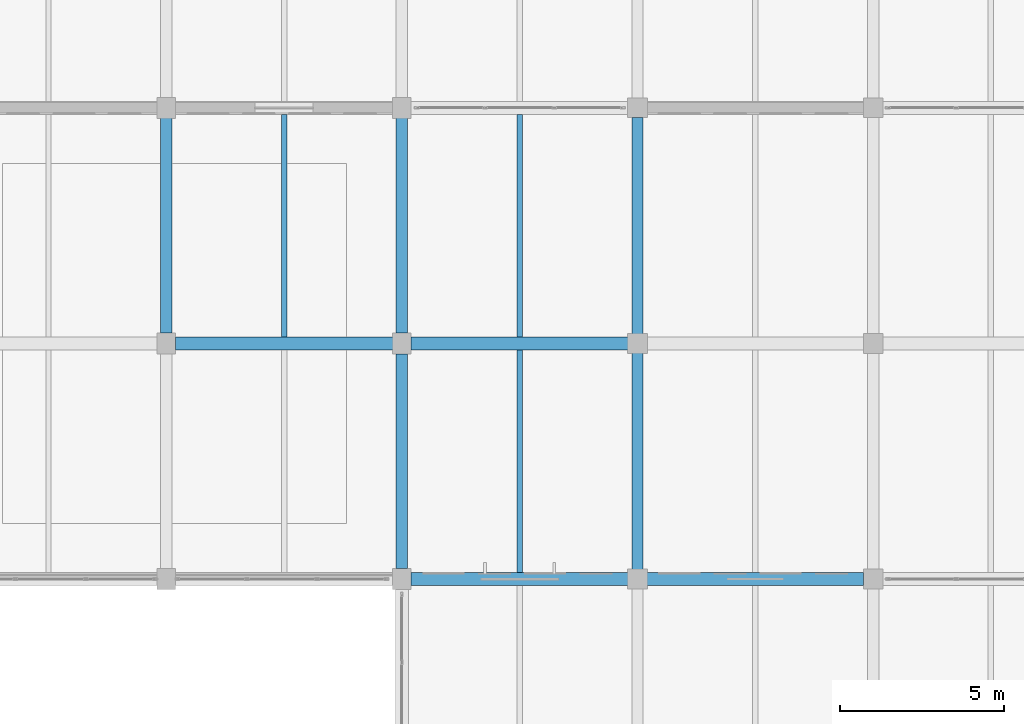
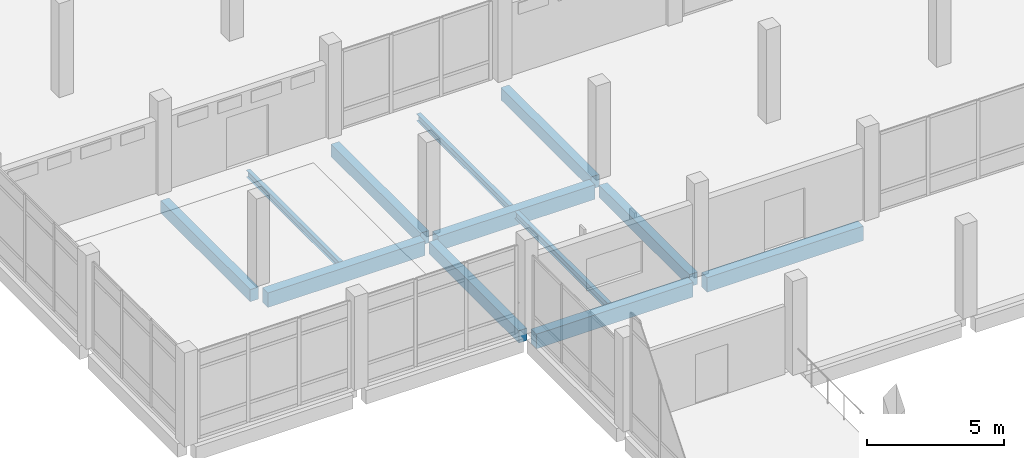
# One storey, part 101 of 158: 12 beams.
"""IFC4 building model written with IfcOpenShell, lengths in metres."""

from ifc_helpers import new_model, si_unit, direction, frame, origin, origin_2d, place, context, subcontext, project, spatial, rectangle, i_section, extrude, material, material_profile, profile_set, type_object, element, save


model = new_model("IFC4")

# Units and contexts
model_context = context("Model", 3, precision=1e-05, world=origin(), true_north=direction((0.0, 1.0)))
body_context = subcontext(model_context, "Body", "Model", "MODEL_VIEW")
ifc_project = project(units=[si_unit("LENGTHUNIT", "METRE"), si_unit("AREAUNIT", "SQUARE_METRE"), si_unit("VOLUMEUNIT", "CUBIC_METRE"), si_unit("PLANEANGLEUNIT", "RADIAN"), si_unit("MASSUNIT", "GRAM", prefix="KILO")], contexts=[model_context])

# Site, building, storey
site_placement = place(None, origin())
site = spatial("IfcSite", under=ifc_project, at=site_placement, CompositionType="ELEMENT")
building_placement = place(site_placement, origin())
building = spatial("IfcBuilding", under=site, at=building_placement, Name="Lusvemor Sports Hall", CompositionType="ELEMENT")
storey_placement = place(building_placement, frame((0.0, 0.0, 10.800048828125)))
storey = spatial("IfcBuildingStorey", under=building, at=storey_placement, Name="L02", CompositionType="ELEMENT", Elevation=10.800048828125)

# Beams
ifc_material_1 = material(Name="Concrete C40/50", Category="concrete")
ifc_material_profile_1 = material_profile(ifc_material_1, rectangle(XDim=0.35009765625, YDim=0.550048828125, at=origin_2d()), Name="RC350x550")
ifc_profile_set_1 = profile_set([ifc_material_profile_1], Name="Concrete C40/50")
beam_type_1 = type_object("IfcBeamType", Name="BEAM_RC_550", PredefinedType="BEAM", material=ifc_profile_set_1)
for number, where, z_axis, x_axis, name in (
    (1, (126.0, 90.31591796875, -0.53515625), (0.0, 1.0, 0.0), (-1.0, 0.0, 0.0), "Beam L02 14:M-N"),
    (2, (133.199951171875, 83.115966796875, -0.53515625), (0.0, 1.0, 0.0), (-1.0, 0.0, 0.0), "Beam L02 15:L-M"),
    (3, (133.199951171875, 90.31591796875, -0.53515625), (0.0, 1.0, 0.0), (-1.0, 0.0, 0.0), "Beam L02 15:M-N"),
):
    element("IfcBeam", number, at=place(storey_placement, frame(where, z_axis=z_axis, x_axis=x_axis)), inside=storey, type_object=beam_type_1, Name=name, PredefinedType="BEAM", context=body_context, shape_type="SweptSolid", body=[
        extrude(rectangle(XDim=0.35009765625, YDim=0.550048828125, at=origin_2d()), origin(), (0.0, 0.0, 1.0), 6.568115234375),
    ])
for number, where, z_axis, x_axis, name in (
    (4, (140.39990234375, 83.095947265625, -0.53515625), (0.0, 1.0, 0.0), (-1.0, 0.0, 0.0), "Beam L02 16:L-M"),
    (5, (140.39990234375, 90.2958984375, -0.53515625), (0.0, 1.0, 0.0), (-1.0, 0.0, 0.0), "Beam L02 16:M-N"),
):
    element("IfcBeam", number, at=place(storey_placement, frame(where, z_axis=z_axis, x_axis=x_axis)), inside=storey, type_object=beam_type_1, Name=name, PredefinedType="BEAM", context=body_context, shape_type="SweptSolid", body=[
        extrude(rectangle(XDim=0.35009765625, YDim=0.550048828125, at=origin_2d()), origin(), (0.0, 0.0, 1.0), 6.608154296875),
    ])
ifc_material_2 = material(Name="Concrete C40/50", Category="concrete")
ifc_material_profile_2 = material_profile(ifc_material_2, rectangle(XDim=0.39990234375, YDim=0.64990234375, at=origin_2d()), Name="RC400x650")
ifc_profile_set_2 = profile_set([ifc_material_profile_2], Name="Concrete C40/50")
beam_type_2 = type_object("IfcBeamType", Name="BEAM_RC_650", PredefinedType="BEAM", material=ifc_profile_set_2)
beam_1_placement = place(storey_placement, frame((133.47607421875, 82.800048828125, -0.5849609375), z_axis=(1.0, 0.0, 0.0), x_axis=(0.0, 1.0, 0.0)))
element("IfcBeam", 6, at=beam_1_placement, inside=storey, type_object=beam_type_2, Name="Beam L02 L:15-16", PredefinedType="BEAM", context=body_context, shape_type="SweptSolid", body=[
    extrude(rectangle(XDim=0.39990234375, YDim=0.64990234375, at=origin_2d()), origin(), (0.0, 0.0, 1.0), 6.6279296875),
])
beam_2_placement = place(storey_placement, frame((140.696044921875, 82.800048828125, -0.5849609375), z_axis=(1.0, 0.0, 0.0), x_axis=(0.0, 1.0, 0.0)))
element("IfcBeam", 7, at=beam_2_placement, inside=storey, type_object=beam_type_2, Name="Beam L02 L:16-17", PredefinedType="BEAM", context=body_context, shape_type="SweptSolid", body=[
    extrude(rectangle(XDim=0.39990234375, YDim=0.64990234375, at=origin_2d()), origin(), (0.0, 0.0, 1.0), 6.60791015625),
])
beam_3_placement = place(storey_placement, frame((126.27587890625, 90.0, -0.5849609375), z_axis=(1.0, 0.0, 0.0), x_axis=(0.0, 1.0, 0.0)))
element("IfcBeam", 8, at=beam_3_placement, inside=storey, type_object=beam_type_2, Name="Beam L02 M:14-15", PredefinedType="BEAM", context=body_context, shape_type="SweptSolid", body=[
    extrude(rectangle(XDim=0.39990234375, YDim=0.64990234375, at=origin_2d()), origin(), (0.0, 0.0, 1.0), 6.648193359375),
])
beam_4_placement = place(storey_placement, frame((133.47607421875, 90.0, -0.5849609375), z_axis=(1.0, 0.0, 0.0), x_axis=(0.0, 1.0, 0.0)))
element("IfcBeam", 9, at=beam_4_placement, inside=storey, type_object=beam_type_2, Name="Beam L02 M:15-16", PredefinedType="BEAM", context=body_context, shape_type="SweptSolid", body=[
    extrude(rectangle(XDim=0.39990234375, YDim=0.64990234375, at=origin_2d()), origin(), (0.0, 0.0, 1.0), 6.6279296875),
])
ifc_material_3 = material(Name="Steel S355", Category="steel")
ifc_material_profile_3 = material_profile(ifc_material_3, i_section(OverallWidth=0.1669921875, OverallDepth=0.31689453125, WebThickness=0.007568359375, FlangeThickness=0.01318359375, FilletRadius=0.014892578125, at=origin_2d()), Name="W310x52.0")
ifc_profile_set_3 = profile_set([ifc_material_profile_3], Name="Steel S355")
beam_type_3 = type_object("IfcBeamType", Name="JOIST_ST_310M", PredefinedType="JOIST", material=ifc_profile_set_3)
for number, where, z_axis, x_axis, name in (
    (10, (129.60009765625, 90.196044921875, -0.422607421875), (0.0, 1.0, 0.0), (-1.0, 0.0, 0.0), "Secondary Joist L02 14-15/M-N #1"),
    (11, (136.800048828125, 82.99609375, -0.422607421875), (0.0, 1.0, 0.0), (-1.0, 0.0, 0.0), "Secondary Joist L02 15-16/L-M #1"),
    (12, (136.800048828125, 90.196044921875, -0.422607421875), (0.0, 1.0, 0.0), (-1.0, 0.0, 0.0), "Secondary Joist L02 15-16/M-N #1"),
):
    element("IfcBeam", number, at=place(storey_placement, frame(where, z_axis=z_axis, x_axis=x_axis)), inside=storey, type_object=beam_type_3, Name=name, PredefinedType="JOIST", context=body_context, shape_type="SweptSolid", body=[
        extrude(i_section(OverallWidth=0.1669921875, OverallDepth=0.31689453125, WebThickness=0.007568359375, FlangeThickness=0.01318359375, FilletRadius=0.014892578125, at=origin_2d()), origin(), (0.0, 0.0, 1.0), 6.807861328125),
    ])

save(model, "model.ifc")
